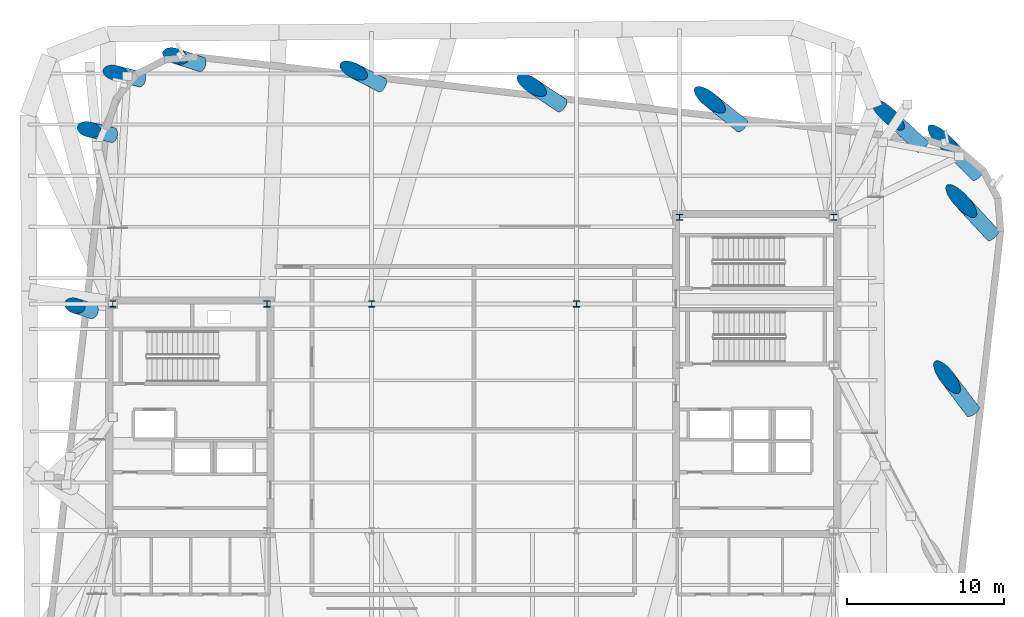
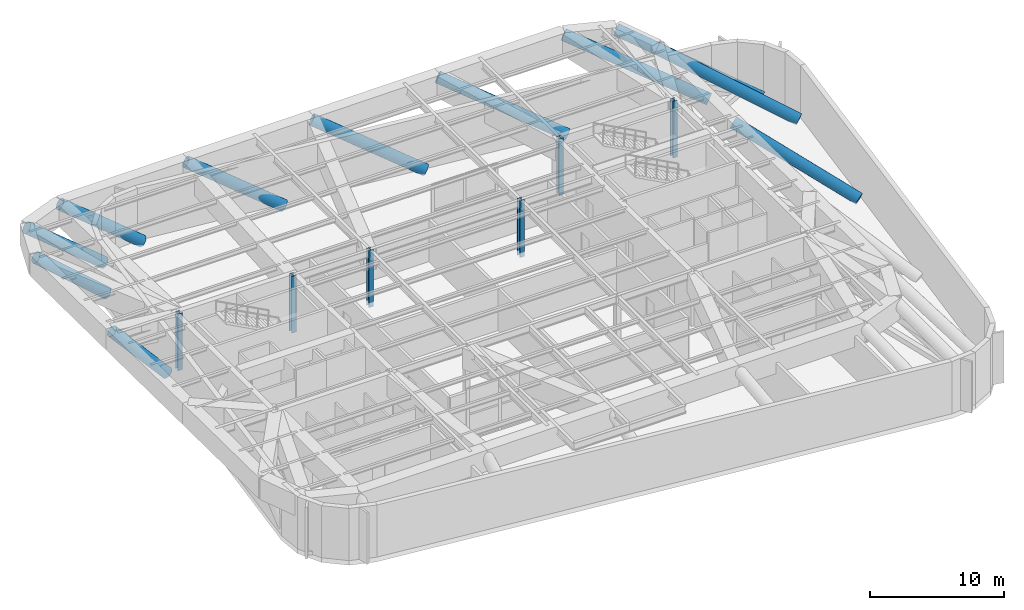
# One storey, part 2 of 12: 17 columns.
"""IFC4 building model written with IfcOpenShell, lengths in metres."""

from ifc_helpers import new_model, si_unit, direction, frame, origin, origin_2d, place, context, subcontext, project, spatial, circle, i_section, extrude, material, material_profile, profile_set, type_object, element, save


model = new_model("IFC4")

# Units and contexts
model_context = context("Model", 3, precision=1e-05, world=origin(), true_north=direction((0.0, 1.0)))
body_context = subcontext(model_context, "Body", "Model", "MODEL_VIEW")
ifc_project = project(units=[si_unit("LENGTHUNIT", "METRE"), si_unit("AREAUNIT", "SQUARE_METRE"), si_unit("VOLUMEUNIT", "CUBIC_METRE"), si_unit("PLANEANGLEUNIT", "RADIAN"), si_unit("MASSUNIT", "GRAM", prefix="KILO")], contexts=[model_context])

# Site, building, storey
site_placement = place(None, origin())
site = spatial("IfcSite", under=ifc_project, at=site_placement, CompositionType="ELEMENT")
building_placement = place(site_placement, origin())
building = spatial("IfcBuilding", under=site, at=building_placement, Name="Kolvaren Arena Tower", CompositionType="ELEMENT")
storey_placement = place(building_placement, frame((0.0, 0.0, 269.699951171875)))
storey = spatial("IfcBuildingStorey", under=building, at=storey_placement, Name="L66", CompositionType="ELEMENT", Elevation=269.699951171875)

# Columns
ifc_material_1 = material(Name="Steel ASTM A913 Grade 65", Category="steel")
ifc_material_profile_1 = material_profile(ifc_material_1, i_section(OverallWidth=0.39892578125, OverallDepth=0.39306640625, WebThickness=0.022705078125, FlangeThickness=0.03662109375, FilletRadius=0.02001953125, at=origin_2d()), Name="W360x287")
ifc_profile_set_1 = profile_set([ifc_material_profile_1], Name="Steel ASTM A913 Grade 65")
column_type_1 = type_object("IfcColumnType", Name="SCOL-Z4", PredefinedType="COLUMN", material=ifc_profile_set_1)
for number, where, z_axis, x_axis, name in (
    (1, (14.550048828125, 33.85009765625, -0.419921875), (0.0, 0.0, 1.0), (1.0, 0.0, 0.0), "Core Boundary Column WC-NW (L66)"),
    (2, (24.35009765625, 33.85009765625, -0.419921875), (0.0, 0.0, 1.0), (1.0, 0.0, 0.0), "Core Boundary Column WC-NE (L66)"),
    (3, (50.550048828125, 39.35009765625, -0.419921875), (0.0, 0.0, 1.0), (1.0, 0.0, 0.0), "Core Boundary Column EC-NW (L66)"),
    (4, (60.35009765625, 39.35009765625, -0.419921875), (0.0, 0.0, 1.0), (1.0, 0.0, 0.0), "Core Boundary Column EC-NE (L66)"),
    (5, (31.0, 33.85009765625, -0.419921875), (0.0, 0.0, 1.0), (1.0, 0.0, 0.0), "Interior Gravity Column TC-NW (L66)"),
    (6, (44.0, 33.85009765625, -0.419921875), (0.0, 0.0, 1.0), (1.0, 0.0, 0.0), "Interior Gravity Column TC-NE (L66)"),
):
    element("IfcColumn", number, at=place(storey_placement, frame(where, z_axis=z_axis, x_axis=x_axis)), inside=storey, type_object=column_type_1, Name=name, PredefinedType="COLUMN", context=body_context, shape_type="SweptSolid", body=[
        extrude(i_section(OverallWidth=0.39892578125, OverallDepth=0.39306640625, WebThickness=0.022705078125, FlangeThickness=0.03662109375, FilletRadius=0.02001953125, at=origin_2d()), origin(), (0.0, 0.0, 1.0), 5.169921875),
    ])
ifc_material_2 = material(Name="Concrete 80 MPa", Category="concrete")
ifc_material_profile_2 = material_profile(ifc_material_2, circle(Radius=0.47998046875, at=origin_2d()), Name="RC-CIRC-960")
ifc_profile_set_2 = profile_set([ifc_material_profile_2], Name="Concrete 80 MPa")
column_type_2 = type_object("IfcColumnType", Name="TRCOL-C960", PredefinedType="COLUMN", material=ifc_profile_set_2)
column_1_placement = place(storey_placement, frame((69.206787109375, 27.010498046875, 0.070068359375), z_axis=(-0.558640783289, 0.73714532099, 0.380180550512), x_axis=(-0.796989430116, -0.603993251853, 0.0)))
element("IfcColumn", 7, at=column_1_placement, inside=storey, type_object=column_type_2, Name="Cantilever Block Inclined Transfer Column 09 (L66)", PredefinedType="COLUMN", context=body_context, shape_type="SweptSolid", body=[
    extrude(circle(Radius=0.47998046875, at=origin_2d()), origin(), (0.0, 0.0, 1.0), 11.02099609375),
])
column_2_placement = place(storey_placement, frame((70.482177734375, 38.20458984375, 0.0771484375), z_axis=(-0.635879331719, 0.68651546552, 0.352638612597), x_axis=(-0.733645130004, -0.679532797753, 0.0)))
element("IfcColumn", 8, at=column_2_placement, inside=storey, type_object=column_type_2, Name="Cantilever Block Inclined Transfer Column 10 (L66)", PredefinedType="COLUMN", context=body_context, shape_type="SweptSolid", body=[
    extrude(circle(Radius=0.47998046875, at=origin_2d()), origin(), (0.0, 0.0, 1.0), 11.841552734375),
])
column_3_placement = place(storey_placement, frame((69.519775390625, 42.047119140625, 0.07861328125), z_axis=(-0.663607056417, 0.662978544647, 0.346533005661), x_axis=(-0.706771687722, -0.707441715928, 0.0)))
element("IfcColumn", 9, at=column_3_placement, inside=storey, type_object=column_type_2, Name="Cantilever Block Inclined Transfer Column 11 (L66)", PredefinedType="COLUMN", context=body_context, shape_type="SweptSolid", body=[
    extrude(circle(Radius=0.47998046875, at=origin_2d()), origin(), (0.0, 0.0, 1.0), 12.041748046875),
])
column_4_placement = place(storey_placement, frame((65.9921875, 43.84912109375, 0.077392578125), z_axis=(-0.688569622219, 0.634403459884, 0.351289233315), x_axis=(-0.677588195874, -0.73544152508, 0.0)))
element("IfcColumn", 10, at=column_4_placement, inside=storey, type_object=column_type_2, Name="Cantilever Block Inclined Transfer Column 12 (L66)", PredefinedType="COLUMN", context=body_context, shape_type="SweptSolid", body=[
    extrude(circle(Radius=0.47998046875, at=origin_2d()), origin(), (0.0, 0.0, 1.0), 11.8857421875),
])
column_5_placement = place(storey_placement, frame((54.54150390625, 45.15380859375, 0.066650390625), z_axis=(-0.716219397868, 0.576159733753, 0.393788947685), x_axis=(-0.626805025909, -0.779176141508, 0.0)))
element("IfcColumn", 11, at=column_5_placement, inside=storey, type_object=column_type_2, Name="Cantilever Block Inclined Transfer Column 13 (L66)", PredefinedType="COLUMN", context=body_context, shape_type="SweptSolid", body=[
    extrude(circle(Radius=0.47998046875, at=origin_2d()), origin(), (0.0, 0.0, 1.0), 10.657470703125),
])
column_6_placement = place(storey_placement, frame((43.090576171875, 46.45849609375, 0.052490234375), z_axis=(-0.744513036276, 0.498395357617, 0.444187354976), x_axis=(-0.556285843231, -0.830991011155, 0.0)))
element("IfcColumn", 12, at=column_6_placement, inside=storey, type_object=column_type_2, Name="Cantilever Block Inclined Transfer Column 14 (L66)", PredefinedType="COLUMN", context=body_context, shape_type="SweptSolid", body=[
    extrude(circle(Radius=0.47998046875, at=origin_2d()), origin(), (0.0, 0.0, 1.0), 9.511962890625),
])
column_7_placement = place(storey_placement, frame((31.6396484375, 47.76318359375, 0.034423828125), z_axis=(-0.769794520756, 0.393818910648, 0.502317689744), x_axis=(-0.455448812239, -0.89026197236, 0.0)))
element("IfcColumn", 13, at=column_7_placement, inside=storey, type_object=column_type_2, Name="Cantilever Block Inclined Transfer Column 15 (L66)", PredefinedType="COLUMN", context=body_context, shape_type="SweptSolid", body=[
    extrude(circle(Radius=0.47998046875, at=origin_2d()), origin(), (0.0, 0.0, 1.0), 8.483154296875),
])
column_8_placement = place(storey_placement, frame((20.188720703125, 49.06787109375, 0.0126953125), z_axis=(-0.784770637677, 0.254754045306, 0.5650092235), x_axis=(-0.308761124629, -0.951139615366, 0.0)))
element("IfcColumn", 14, at=column_8_placement, inside=storey, type_object=column_type_2, Name="Cantilever Block Inclined Transfer Column 16 (L66)", PredefinedType="COLUMN", context=body_context, shape_type="SweptSolid", body=[
    extrude(circle(Radius=0.47998046875, at=origin_2d()), origin(), (0.0, 0.0, 1.0), 7.618896484375),
])
column_9_placement = place(storey_placement, frame((16.34619140625, 48.10546875, 0.006103515625), z_axis=(-0.78753752141, 0.199818033433, 0.582972903217), x_axis=(-0.245932430975, -0.969286974737, 0.0)))
element("IfcColumn", 15, at=column_9_placement, inside=storey, type_object=column_type_2, Name="Cantilever Block Inclined Transfer Column 17 (L66)", PredefinedType="COLUMN", context=body_context, shape_type="SweptSolid", body=[
    extrude(circle(Radius=0.47998046875, at=origin_2d()), origin(), (0.0, 0.0, 1.0), 7.40673828125),
])
column_10_placement = place(storey_placement, frame((14.544189453125, 44.577880859375, -0.0068359375), z_axis=(-0.765493748569, 0.18273098949, 0.616951137758), x_axis=(-0.232186341995, -0.972671323002, 0.0)))
element("IfcColumn", 16, at=column_10_placement, inside=storey, type_object=column_type_2, Name="Cantilever Block Inclined Transfer Column 18 (L66)", PredefinedType="COLUMN", context=body_context, shape_type="SweptSolid", body=[
    extrude(circle(Radius=0.47998046875, at=origin_2d()), origin(), (0.0, 0.0, 1.0), 7.041015625),
])
column_11_placement = place(storey_placement, frame((13.268798828125, 33.3837890625, -0.0546875), z_axis=(-0.656053216007, 0.209273479067, 0.725119844388), x_axis=(-0.303901514783, -0.952703452976, 0.0)))
element("IfcColumn", 17, at=column_11_placement, inside=storey, type_object=column_type_2, Name="Cantilever Block Inclined Transfer Column 19 (L66)", PredefinedType="COLUMN", context=body_context, shape_type="SweptSolid", body=[
    extrude(circle(Radius=0.47998046875, at=origin_2d()), origin(), (0.0, 0.0, 1.0), 6.122314453125),
])

save(model, "model.ifc")
